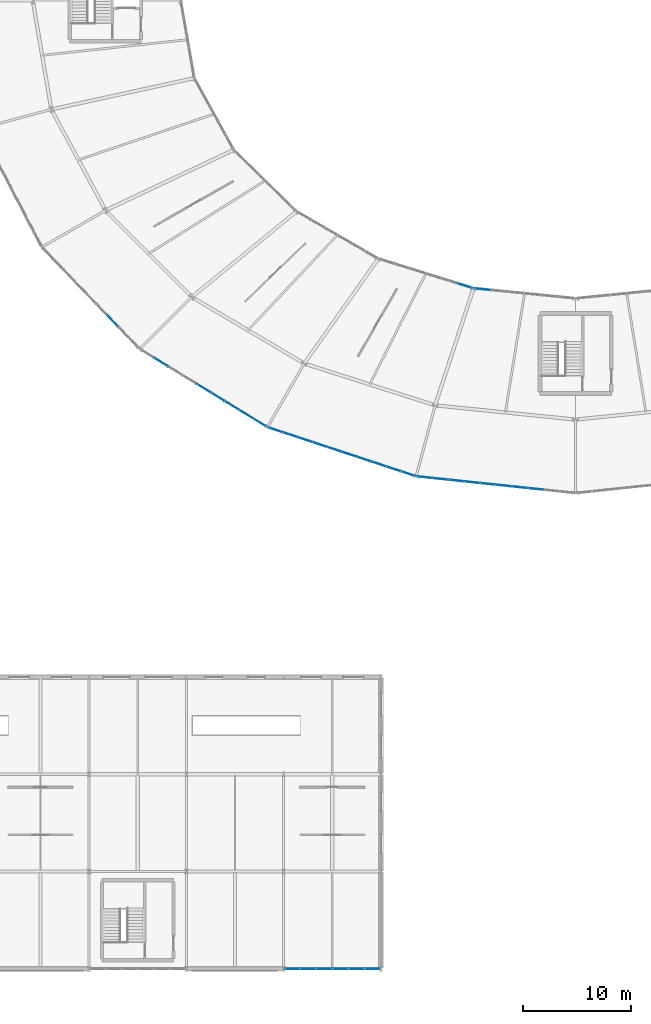
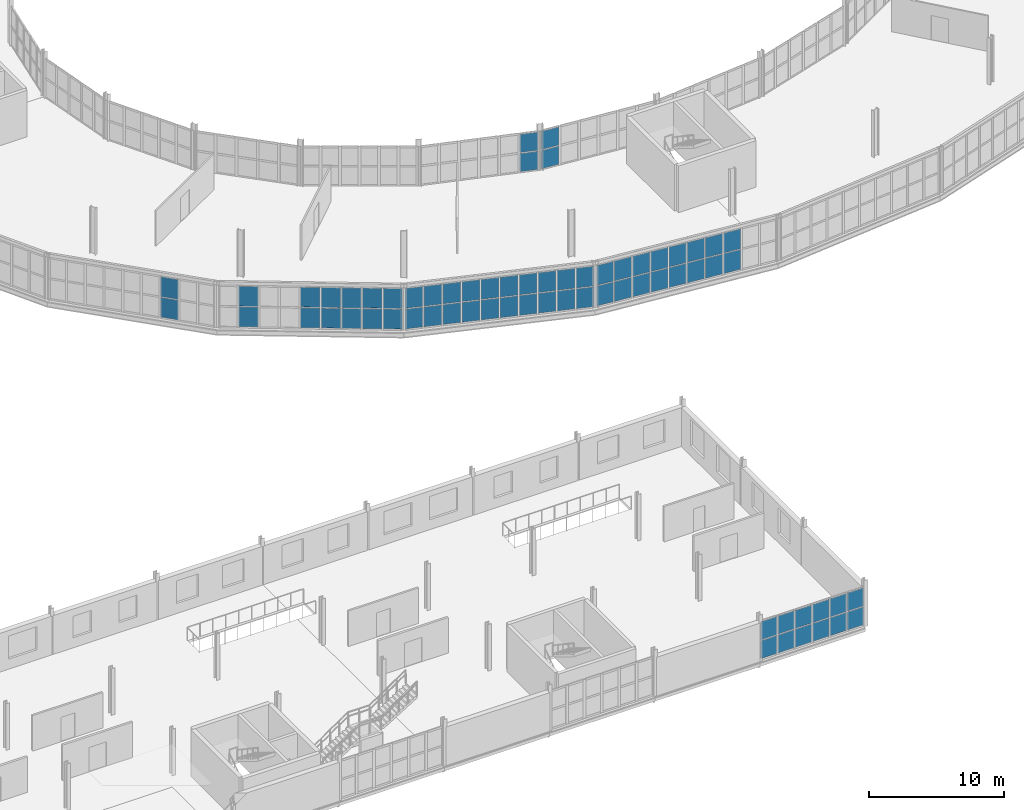
# One storey, part 108 of 161: 66 plates, 7 elements without a shape of their own.
"""IFC4 building model written with IfcOpenShell, lengths in metres."""

from ifc_helpers import new_model, si_unit, direction, frame, origin, origin_2d, place, context, subcontext, project, spatial, rectangle, extrude, material, layer, layer_set, type_object, element, aggregate, save


model = new_model("IFC4")

# Units and contexts
model_context = context("Model", 3, precision=1e-05, world=origin(), true_north=direction((0.0, 1.0)))
body_context = subcontext(model_context, "Body", "Model", "MODEL_VIEW")
ifc_project = project(units=[si_unit("LENGTHUNIT", "METRE"), si_unit("AREAUNIT", "SQUARE_METRE"), si_unit("VOLUMEUNIT", "CUBIC_METRE"), si_unit("PLANEANGLEUNIT", "RADIAN"), si_unit("MASSUNIT", "GRAM", prefix="KILO")], contexts=[model_context])

# Site, building, storey
site_placement = place(None, origin())
site = spatial("IfcSite", under=ifc_project, at=site_placement, CompositionType="ELEMENT")
building_placement = place(site_placement, origin())
building = spatial("IfcBuilding", under=site, at=building_placement, Name="Kildeholm Park Wholesale Market", CompositionType="ELEMENT")
storey_placement = place(building_placement, frame((0.0, 0.0, 5.39990234375)))
storey = spatial("IfcBuildingStorey", under=building, at=storey_placement, Name="L01", CompositionType="ELEMENT", Elevation=5.39990234375)

# Curtain wall, plates
ifc_material_1 = material(Name="Anodised aluminium and low-E double-glazed glass", Category="aluminium")
curtain_wall_type_1 = type_object("IfcCurtainWallType", Name="Market hall glazed arcade stick curtain wall CW-01", PredefinedType="NOTDEFINED", material=ifc_material_1)
curtain_wall_1_placement = place(storey_placement, origin())
curtain_wall_1 = element("IfcCurtainWall", 1, at=curtain_wall_1_placement, inside=storey, type_object=curtain_wall_type_1, Name="Curtain wall CW-V1-OT-14-1 CW-0069", PredefinedType="NOTDEFINED")
ifc_material_2 = material(Name="Double-glazed low-E insulated glass", Category="glass")
ifc_layer_1 = layer(ifc_material_2, 0.028076171875)
ifc_layer_set_1 = layer_set([ifc_layer_1], Name="Double-glazed low-E insulated glass")
plate_type_1 = type_object("IfcPlateType", Name="Curtain-wall panel CWP-1 28 mm", PredefinedType="CURTAIN_PANEL", material=ifc_layer_set_1)
plate_1_placement = place(storey_placement, frame((56.161865234375, 59.95361328125, 0.06494140625), z_axis=(0.0, 0.0, 1.0), x_axis=(0.69303795493, -0.720901097951, 0.0)))
plate_1 = element("IfcPlate", 2, at=plate_1_placement, type_object=plate_type_1, Name="CW-01 panel 7.1 PLT-1076", PredefinedType="CURTAIN_PANEL", context=body_context, shape_type="SweptSolid", body=[
    extrude(rectangle(XDim=1.378662109375, YDim=0.028076171875, at=origin_2d()), origin(), (0.0, 0.0, 1.0), 1.802490234375),
])
plate_2_placement = place(storey_placement, frame((56.161865234375, 59.95361328125, 1.9326171875), z_axis=(0.0, 0.0, 1.0), x_axis=(0.69303795493, -0.720901097951, 0.0)))
plate_2 = element("IfcPlate", 3, at=plate_2_placement, type_object=plate_type_1, Name="CW-01 panel 7.2 PLT-1077", PredefinedType="CURTAIN_PANEL", context=body_context, shape_type="SweptSolid", body=[
    extrude(rectangle(XDim=1.378662109375, YDim=0.028076171875, at=origin_2d()), origin(), (0.0, 0.0, 1.0), 1.802490234375),
])
aggregate(curtain_wall_1, [plate_1, plate_2])

curtain_wall_2_placement = place(storey_placement, origin())
curtain_wall_2 = element("IfcCurtainWall", 4, at=curtain_wall_2_placement, inside=storey, type_object=curtain_wall_type_1, Name="Curtain wall CW-V1-OT-15-1 CW-0074", PredefinedType="NOTDEFINED")
plate_3_placement = place(storey_placement, frame((60.681396484375, 56.103759765625, 0.06494140625), z_axis=(0.0, 0.0, 1.0), x_axis=(0.852771402766, -0.522284342695, 0.0)))
plate_3 = element("IfcPlate", 5, at=plate_3_placement, type_object=plate_type_1, Name="CW-01 panel 2.1 PLT-1128", PredefinedType="CURTAIN_PANEL", context=body_context, shape_type="SweptSolid", body=[
    extrude(rectangle(XDim=1.46435546875, YDim=0.028076171875, at=origin_2d()), origin(), (0.0, 0.0, 1.0), 1.802490234375),
])
plate_4_placement = place(storey_placement, frame((60.681396484375, 56.103759765625, 1.9326171875), z_axis=(0.0, 0.0, 1.0), x_axis=(0.852771402766, -0.522284342695, 0.0)))
plate_4 = element("IfcPlate", 6, at=plate_4_placement, type_object=plate_type_1, Name="CW-01 panel 2.2 PLT-1129", PredefinedType="CURTAIN_PANEL", context=body_context, shape_type="SweptSolid", body=[
    extrude(rectangle(XDim=1.46435546875, YDim=0.028076171875, at=origin_2d()), origin(), (0.0, 0.0, 1.0), 1.802490234375),
])
plate_5_placement = place(storey_placement, frame((64.593994140625, 53.70751953125, 0.06494140625), z_axis=(0.0, 0.0, 1.0), x_axis=(0.852771402766, -0.522284342695, 0.0)))
plate_5 = element("IfcPlate", 7, at=plate_5_placement, type_object=plate_type_1, Name="CW-01 panel 5.1 PLT-1134", PredefinedType="CURTAIN_PANEL", context=body_context, shape_type="SweptSolid", body=[
    extrude(rectangle(XDim=1.46435546875, YDim=0.028076171875, at=origin_2d()), origin(), (0.0, 0.0, 1.0), 1.802490234375),
])
plate_6_placement = place(storey_placement, frame((64.593994140625, 53.70751953125, 1.9326171875), z_axis=(0.0, 0.0, 1.0), x_axis=(0.852771402766, -0.522284342695, 0.0)))
plate_6 = element("IfcPlate", 8, at=plate_6_placement, type_object=plate_type_1, Name="CW-01 panel 5.2 PLT-1135", PredefinedType="CURTAIN_PANEL", context=body_context, shape_type="SweptSolid", body=[
    extrude(rectangle(XDim=1.46435546875, YDim=0.028076171875, at=origin_2d()), origin(), (0.0, 0.0, 1.0), 1.802490234375),
])
plate_7_placement = place(storey_placement, frame((65.898193359375, 52.90869140625, 0.06494140625), z_axis=(0.0, 0.0, 1.0), x_axis=(0.852771402766, -0.522284342695, 0.0)))
plate_7 = element("IfcPlate", 9, at=plate_7_placement, type_object=plate_type_1, Name="CW-01 panel 6.1 PLT-1136", PredefinedType="CURTAIN_PANEL", context=body_context, shape_type="SweptSolid", body=[
    extrude(rectangle(XDim=1.46435546875, YDim=0.028076171875, at=origin_2d()), origin(), (0.0, 0.0, 1.0), 1.802490234375),
])
plate_8_placement = place(storey_placement, frame((65.898193359375, 52.90869140625, 1.9326171875), z_axis=(0.0, 0.0, 1.0), x_axis=(0.852771402766, -0.522284342695, 0.0)))
plate_8 = element("IfcPlate", 10, at=plate_8_placement, type_object=plate_type_1, Name="CW-01 panel 6.2 PLT-1137", PredefinedType="CURTAIN_PANEL", context=body_context, shape_type="SweptSolid", body=[
    extrude(rectangle(XDim=1.46435546875, YDim=0.028076171875, at=origin_2d()), origin(), (0.0, 0.0, 1.0), 1.802490234375),
])
plate_9_placement = place(storey_placement, frame((67.202392578125, 52.10986328125, 0.06494140625), z_axis=(0.0, 0.0, 1.0), x_axis=(0.852771402766, -0.522284342695, 0.0)))
plate_9 = element("IfcPlate", 11, at=plate_9_placement, type_object=plate_type_1, Name="CW-01 panel 7.1 PLT-1138", PredefinedType="CURTAIN_PANEL", context=body_context, shape_type="SweptSolid", body=[
    extrude(rectangle(XDim=1.46435546875, YDim=0.028076171875, at=origin_2d()), origin(), (0.0, 0.0, 1.0), 1.802490234375),
])
plate_10_placement = place(storey_placement, frame((67.202392578125, 52.10986328125, 1.9326171875), z_axis=(0.0, 0.0, 1.0), x_axis=(0.852771402766, -0.522284342695, 0.0)))
plate_10 = element("IfcPlate", 12, at=plate_10_placement, type_object=plate_type_1, Name="CW-01 panel 7.2 PLT-1139", PredefinedType="CURTAIN_PANEL", context=body_context, shape_type="SweptSolid", body=[
    extrude(rectangle(XDim=1.46435546875, YDim=0.028076171875, at=origin_2d()), origin(), (0.0, 0.0, 1.0), 1.802490234375),
])
plate_11_placement = place(storey_placement, frame((68.506591796875, 51.311279296875, 0.06494140625), z_axis=(0.0, 0.0, 1.0), x_axis=(0.852771402766, -0.522284342695, 0.0)))
plate_11 = element("IfcPlate", 13, at=plate_11_placement, type_object=plate_type_1, Name="CW-01 panel 8.1 PLT-1140", PredefinedType="CURTAIN_PANEL", context=body_context, shape_type="SweptSolid", body=[
    extrude(rectangle(XDim=1.46435546875, YDim=0.028076171875, at=origin_2d()), origin(), (0.0, 0.0, 1.0), 1.802490234375),
])
plate_12_placement = place(storey_placement, frame((68.506591796875, 51.311279296875, 1.9326171875), z_axis=(0.0, 0.0, 1.0), x_axis=(0.852771402766, -0.522284342695, 0.0)))
plate_12 = element("IfcPlate", 14, at=plate_12_placement, type_object=plate_type_1, Name="CW-01 panel 8.2 PLT-1141", PredefinedType="CURTAIN_PANEL", context=body_context, shape_type="SweptSolid", body=[
    extrude(rectangle(XDim=1.46435546875, YDim=0.028076171875, at=origin_2d()), origin(), (0.0, 0.0, 1.0), 1.802490234375),
])
plate_13_placement = place(storey_placement, frame((69.797119140625, 50.52099609375, 0.06494140625), z_axis=(0.0, 0.0, 1.0), x_axis=(0.852771402766, -0.522284342695, 0.0)))
plate_13 = element("IfcPlate", 15, at=plate_13_placement, type_object=plate_type_1, Name="CW-01 panel 9.1 PLT-1142", PredefinedType="CURTAIN_PANEL", context=body_context, shape_type="SweptSolid", body=[
    extrude(rectangle(XDim=1.431884765625, YDim=0.028076171875, at=origin_2d()), origin(), (0.0, 0.0, 1.0), 1.802490234375),
])
plate_14_placement = place(storey_placement, frame((69.797119140625, 50.52099609375, 1.9326171875), z_axis=(0.0, 0.0, 1.0), x_axis=(0.852771402766, -0.522284342695, 0.0)))
plate_14 = element("IfcPlate", 16, at=plate_14_placement, type_object=plate_type_1, Name="CW-01 panel 9.2 PLT-1143", PredefinedType="CURTAIN_PANEL", context=body_context, shape_type="SweptSolid", body=[
    extrude(rectangle(XDim=1.431884765625, YDim=0.028076171875, at=origin_2d()), origin(), (0.0, 0.0, 1.0), 1.802490234375),
])
aggregate(curtain_wall_2, [plate_3, plate_4, plate_5, plate_6, plate_7, plate_8, plate_9, plate_10, plate_11, plate_12, plate_13, plate_14])

curtain_wall_3_placement = place(storey_placement, origin())
curtain_wall_3 = element("IfcCurtainWall", 17, at=curtain_wall_3_placement, inside=storey, type_object=curtain_wall_type_1, Name="Curtain wall CW-V1-OT-16-1 CW-0079", PredefinedType="NOTDEFINED")
plate_15_placement = place(storey_placement, frame((71.23486328125, 49.847900390625, 0.06494140625), z_axis=(0.0, 0.0, 1.0), x_axis=(0.949451374478, -0.313914140335, 0.0)))
plate_15 = element("IfcPlate", 18, at=plate_15_placement, type_object=plate_type_1, Name="CW-01 panel 1.1 PLT-1196", PredefinedType="CURTAIN_PANEL", context=body_context, shape_type="SweptSolid", body=[
    extrude(rectangle(XDim=1.34228515625, YDim=0.028076171875, at=origin_2d()), origin(), (0.0, 0.0, 1.0), 1.802490234375),
])
plate_16_placement = place(storey_placement, frame((71.23486328125, 49.847900390625, 1.9326171875), z_axis=(0.0, 0.0, 1.0), x_axis=(0.949451374478, -0.313914140335, 0.0)))
plate_16 = element("IfcPlate", 19, at=plate_16_placement, type_object=plate_type_1, Name="CW-01 panel 1.2 PLT-1197", PredefinedType="CURTAIN_PANEL", context=body_context, shape_type="SweptSolid", body=[
    extrude(rectangle(XDim=1.34228515625, YDim=0.028076171875, at=origin_2d()), origin(), (0.0, 0.0, 1.0), 1.802490234375),
])
plate_17_placement = place(storey_placement, frame((72.586669921875, 49.40087890625, 0.06494140625), z_axis=(0.0, 0.0, 1.0), x_axis=(0.949451374478, -0.313914140335, 0.0)))
plate_17 = element("IfcPlate", 20, at=plate_17_placement, type_object=plate_type_1, Name="CW-01 panel 2.1 PLT-1198", PredefinedType="CURTAIN_PANEL", context=body_context, shape_type="SweptSolid", body=[
    extrude(rectangle(XDim=1.375, YDim=0.028076171875, at=origin_2d()), origin(), (0.0, 0.0, 1.0), 1.802490234375),
])
plate_18_placement = place(storey_placement, frame((72.586669921875, 49.40087890625, 1.9326171875), z_axis=(0.0, 0.0, 1.0), x_axis=(0.949451374478, -0.313914140335, 0.0)))
plate_18 = element("IfcPlate", 21, at=plate_18_placement, type_object=plate_type_1, Name="CW-01 panel 2.2 PLT-1199", PredefinedType="CURTAIN_PANEL", context=body_context, shape_type="SweptSolid", body=[
    extrude(rectangle(XDim=1.375, YDim=0.028076171875, at=origin_2d()), origin(), (0.0, 0.0, 1.0), 1.802490234375),
])
plate_19_placement = place(storey_placement, frame((73.953857421875, 48.948974609375, 0.06494140625), z_axis=(0.0, 0.0, 1.0), x_axis=(0.949451374478, -0.313914140335, 0.0)))
plate_19 = element("IfcPlate", 22, at=plate_19_placement, type_object=plate_type_1, Name="CW-01 panel 3.1 PLT-1200", PredefinedType="CURTAIN_PANEL", context=body_context, shape_type="SweptSolid", body=[
    extrude(rectangle(XDim=1.375, YDim=0.028076171875, at=origin_2d()), origin(), (0.0, 0.0, 1.0), 1.802490234375),
])
plate_20_placement = place(storey_placement, frame((73.953857421875, 48.948974609375, 1.9326171875), z_axis=(0.0, 0.0, 1.0), x_axis=(0.949451374478, -0.313914140335, 0.0)))
plate_20 = element("IfcPlate", 23, at=plate_20_placement, type_object=plate_type_1, Name="CW-01 panel 3.2 PLT-1201", PredefinedType="CURTAIN_PANEL", context=body_context, shape_type="SweptSolid", body=[
    extrude(rectangle(XDim=1.375, YDim=0.028076171875, at=origin_2d()), origin(), (0.0, 0.0, 1.0), 1.802490234375),
])
plate_21_placement = place(storey_placement, frame((75.32080078125, 48.4970703125, 0.06494140625), z_axis=(0.0, 0.0, 1.0), x_axis=(0.949451374478, -0.313914140335, 0.0)))
plate_21 = element("IfcPlate", 24, at=plate_21_placement, type_object=plate_type_1, Name="CW-01 panel 4.1 PLT-1202", PredefinedType="CURTAIN_PANEL", context=body_context, shape_type="SweptSolid", body=[
    extrude(rectangle(XDim=1.375, YDim=0.028076171875, at=origin_2d()), origin(), (0.0, 0.0, 1.0), 1.802490234375),
])
plate_22_placement = place(storey_placement, frame((75.32080078125, 48.4970703125, 1.9326171875), z_axis=(0.0, 0.0, 1.0), x_axis=(0.949451374478, -0.313914140335, 0.0)))
plate_22 = element("IfcPlate", 25, at=plate_22_placement, type_object=plate_type_1, Name="CW-01 panel 4.2 PLT-1203", PredefinedType="CURTAIN_PANEL", context=body_context, shape_type="SweptSolid", body=[
    extrude(rectangle(XDim=1.375, YDim=0.028076171875, at=origin_2d()), origin(), (0.0, 0.0, 1.0), 1.802490234375),
])
plate_23_placement = place(storey_placement, frame((76.68798828125, 48.044921875, 0.06494140625), z_axis=(0.0, 0.0, 1.0), x_axis=(0.949451374478, -0.313914140335, 0.0)))
plate_23 = element("IfcPlate", 26, at=plate_23_placement, type_object=plate_type_1, Name="CW-01 panel 5.1 PLT-1204", PredefinedType="CURTAIN_PANEL", context=body_context, shape_type="SweptSolid", body=[
    extrude(rectangle(XDim=1.375, YDim=0.028076171875, at=origin_2d()), origin(), (0.0, 0.0, 1.0), 1.802490234375),
])
plate_24_placement = place(storey_placement, frame((76.68798828125, 48.044921875, 1.9326171875), z_axis=(0.0, 0.0, 1.0), x_axis=(0.949451374478, -0.313914140335, 0.0)))
plate_24 = element("IfcPlate", 27, at=plate_24_placement, type_object=plate_type_1, Name="CW-01 panel 5.2 PLT-1205", PredefinedType="CURTAIN_PANEL", context=body_context, shape_type="SweptSolid", body=[
    extrude(rectangle(XDim=1.375, YDim=0.028076171875, at=origin_2d()), origin(), (0.0, 0.0, 1.0), 1.802490234375),
])
plate_25_placement = place(storey_placement, frame((78.054931640625, 47.593017578125, 0.06494140625), z_axis=(0.0, 0.0, 1.0), x_axis=(0.949451374478, -0.313914140335, 0.0)))
plate_25 = element("IfcPlate", 28, at=plate_25_placement, type_object=plate_type_1, Name="CW-01 panel 6.1 PLT-1206", PredefinedType="CURTAIN_PANEL", context=body_context, shape_type="SweptSolid", body=[
    extrude(rectangle(XDim=1.375, YDim=0.028076171875, at=origin_2d()), origin(), (0.0, 0.0, 1.0), 1.802490234375),
])
plate_26_placement = place(storey_placement, frame((78.054931640625, 47.593017578125, 1.9326171875), z_axis=(0.0, 0.0, 1.0), x_axis=(0.949451374478, -0.313914140335, 0.0)))
plate_26 = element("IfcPlate", 29, at=plate_26_placement, type_object=plate_type_1, Name="CW-01 panel 6.2 PLT-1207", PredefinedType="CURTAIN_PANEL", context=body_context, shape_type="SweptSolid", body=[
    extrude(rectangle(XDim=1.375, YDim=0.028076171875, at=origin_2d()), origin(), (0.0, 0.0, 1.0), 1.802490234375),
])
plate_27_placement = place(storey_placement, frame((79.422119140625, 47.14111328125, 0.06494140625), z_axis=(0.0, 0.0, 1.0), x_axis=(0.949451374478, -0.313914140335, 0.0)))
plate_27 = element("IfcPlate", 30, at=plate_27_placement, type_object=plate_type_1, Name="CW-01 panel 7.1 PLT-1208", PredefinedType="CURTAIN_PANEL", context=body_context, shape_type="SweptSolid", body=[
    extrude(rectangle(XDim=1.375, YDim=0.028076171875, at=origin_2d()), origin(), (0.0, 0.0, 1.0), 1.802490234375),
])
plate_28_placement = place(storey_placement, frame((79.422119140625, 47.14111328125, 1.9326171875), z_axis=(0.0, 0.0, 1.0), x_axis=(0.949451374478, -0.313914140335, 0.0)))
plate_28 = element("IfcPlate", 31, at=plate_28_placement, type_object=plate_type_1, Name="CW-01 panel 7.2 PLT-1209", PredefinedType="CURTAIN_PANEL", context=body_context, shape_type="SweptSolid", body=[
    extrude(rectangle(XDim=1.375, YDim=0.028076171875, at=origin_2d()), origin(), (0.0, 0.0, 1.0), 1.802490234375),
])
plate_29_placement = place(storey_placement, frame((80.789306640625, 46.68896484375, 0.06494140625), z_axis=(0.0, 0.0, 1.0), x_axis=(0.949451374478, -0.313914140335, 0.0)))
plate_29 = element("IfcPlate", 32, at=plate_29_placement, type_object=plate_type_1, Name="CW-01 panel 8.1 PLT-1210", PredefinedType="CURTAIN_PANEL", context=body_context, shape_type="SweptSolid", body=[
    extrude(rectangle(XDim=1.375, YDim=0.028076171875, at=origin_2d()), origin(), (0.0, 0.0, 1.0), 1.802490234375),
])
plate_30_placement = place(storey_placement, frame((80.789306640625, 46.68896484375, 1.9326171875), z_axis=(0.0, 0.0, 1.0), x_axis=(0.949451374478, -0.313914140335, 0.0)))
plate_30 = element("IfcPlate", 33, at=plate_30_placement, type_object=plate_type_1, Name="CW-01 panel 8.2 PLT-1211", PredefinedType="CURTAIN_PANEL", context=body_context, shape_type="SweptSolid", body=[
    extrude(rectangle(XDim=1.375, YDim=0.028076171875, at=origin_2d()), origin(), (0.0, 0.0, 1.0), 1.802490234375),
])
plate_31_placement = place(storey_placement, frame((82.15625, 46.237060546875, 0.06494140625), z_axis=(0.0, 0.0, 1.0), x_axis=(0.949451374478, -0.313914140335, 0.0)))
plate_31 = element("IfcPlate", 34, at=plate_31_placement, type_object=plate_type_1, Name="CW-01 panel 9.1 PLT-1212", PredefinedType="CURTAIN_PANEL", context=body_context, shape_type="SweptSolid", body=[
    extrude(rectangle(XDim=1.375, YDim=0.028076171875, at=origin_2d()), origin(), (0.0, 0.0, 1.0), 1.802490234375),
])
plate_32_placement = place(storey_placement, frame((82.15625, 46.237060546875, 1.9326171875), z_axis=(0.0, 0.0, 1.0), x_axis=(0.949451374478, -0.313914140335, 0.0)))
plate_32 = element("IfcPlate", 35, at=plate_32_placement, type_object=plate_type_1, Name="CW-01 panel 9.2 PLT-1213", PredefinedType="CURTAIN_PANEL", context=body_context, shape_type="SweptSolid", body=[
    extrude(rectangle(XDim=1.375, YDim=0.028076171875, at=origin_2d()), origin(), (0.0, 0.0, 1.0), 1.802490234375),
])
plate_33_placement = place(storey_placement, frame((83.508056640625, 45.7900390625, 0.06494140625), z_axis=(0.0, 0.0, 1.0), x_axis=(0.949451374478, -0.313914140335, 0.0)))
plate_33 = element("IfcPlate", 36, at=plate_33_placement, type_object=plate_type_1, Name="CW-01 panel 10.1 PLT-1214", PredefinedType="CURTAIN_PANEL", context=body_context, shape_type="SweptSolid", body=[
    extrude(rectangle(XDim=1.34228515625, YDim=0.028076171875, at=origin_2d()), origin(), (0.0, 0.0, 1.0), 1.802490234375),
])
plate_34_placement = place(storey_placement, frame((83.508056640625, 45.7900390625, 1.9326171875), z_axis=(0.0, 0.0, 1.0), x_axis=(0.949451374478, -0.313914140335, 0.0)))
plate_34 = element("IfcPlate", 37, at=plate_34_placement, type_object=plate_type_1, Name="CW-01 panel 10.2 PLT-1215", PredefinedType="CURTAIN_PANEL", context=body_context, shape_type="SweptSolid", body=[
    extrude(rectangle(XDim=1.34228515625, YDim=0.028076171875, at=origin_2d()), origin(), (0.0, 0.0, 1.0), 1.802490234375),
])
aggregate(curtain_wall_3, [plate_15, plate_16, plate_17, plate_18, plate_19, plate_20, plate_21, plate_22, plate_23, plate_24, plate_25, plate_26, plate_27, plate_28, plate_29, plate_30, plate_31, plate_32, plate_33, plate_34])

curtain_wall_4_placement = place(storey_placement, origin())
curtain_wall_4 = element("IfcCurtainWall", 38, at=curtain_wall_4_placement, inside=storey, type_object=curtain_wall_type_1, Name="Curtain wall CW-V1-IN1-16 CW-0082", PredefinedType="NOTDEFINED")
plate_35_placement = place(storey_placement, frame((88.767822265625, 63.177490234375, 0.074951171875), z_axis=(0.0, 0.0, 1.0), x_axis=(0.954579186683, -0.297957339818, 0.0)))
plate_35 = element("IfcPlate", 39, at=plate_35_placement, type_object=plate_type_1, Name="CW-01 panel 6.1 PLT-1254", PredefinedType="CURTAIN_PANEL", context=body_context, shape_type="SweptSolid", body=[
    extrude(rectangle(XDim=1.4111328125, YDim=0.028076171875, at=origin_2d()), origin(), (0.0, 0.0, 1.0), 1.66259765625),
])
plate_36_placement = place(storey_placement, frame((88.767822265625, 63.177490234375, 1.8125), z_axis=(0.0, 0.0, 1.0), x_axis=(0.954579186683, -0.297957339818, 0.0)))
plate_36 = element("IfcPlate", 40, at=plate_36_placement, type_object=plate_type_1, Name="CW-01 panel 6.2 PLT-1255", PredefinedType="CURTAIN_PANEL", context=body_context, shape_type="SweptSolid", body=[
    extrude(rectangle(XDim=1.4111328125, YDim=0.028076171875, at=origin_2d()), origin(), (0.0, 0.0, 1.0), 1.66259765625),
])
aggregate(curtain_wall_4, [plate_35, plate_36])

curtain_wall_5_placement = place(storey_placement, origin())
curtain_wall_5 = element("IfcCurtainWall", 41, at=curtain_wall_5_placement, inside=storey, type_object=curtain_wall_type_1, Name="Curtain wall CW-V1-OT-17-1 CW-0084", PredefinedType="NOTDEFINED")
plate_37_placement = place(storey_placement, frame((85.035888671875, 45.463134765625, 0.06494140625), z_axis=(0.0, 0.0, 1.0), x_axis=(0.994524005652, -0.104508383308, 0.0)))
plate_37 = element("IfcPlate", 42, at=plate_37_placement, type_object=plate_type_1, Name="CW-01 panel 1.1 PLT-1268", PredefinedType="CURTAIN_PANEL", context=body_context, shape_type="SweptSolid", body=[
    extrude(rectangle(XDim=1.3779296875, YDim=0.028076171875, at=origin_2d()), origin(), (0.0, 0.0, 1.0), 1.802490234375),
])
plate_38_placement = place(storey_placement, frame((85.035888671875, 45.463134765625, 1.9326171875), z_axis=(0.0, 0.0, 1.0), x_axis=(0.994524005652, -0.104508383308, 0.0)))
plate_38 = element("IfcPlate", 43, at=plate_38_placement, type_object=plate_type_1, Name="CW-01 panel 1.2 PLT-1269", PredefinedType="CURTAIN_PANEL", context=body_context, shape_type="SweptSolid", body=[
    extrude(rectangle(XDim=1.3779296875, YDim=0.028076171875, at=origin_2d()), origin(), (0.0, 0.0, 1.0), 1.802490234375),
])
plate_39_placement = place(storey_placement, frame((86.487060546875, 45.310791015625, 0.06494140625), z_axis=(0.0, 0.0, 1.0), x_axis=(0.994524005652, -0.104508383308, 0.0)))
plate_39 = element("IfcPlate", 44, at=plate_39_placement, type_object=plate_type_1, Name="CW-01 panel 2.1 PLT-1270", PredefinedType="CURTAIN_PANEL", context=body_context, shape_type="SweptSolid", body=[
    extrude(rectangle(XDim=1.410400390625, YDim=0.028076171875, at=origin_2d()), origin(), (0.0, 0.0, 1.0), 1.802490234375),
])
plate_40_placement = place(storey_placement, frame((86.487060546875, 45.310791015625, 1.9326171875), z_axis=(0.0, 0.0, 1.0), x_axis=(0.994524005652, -0.104508383308, 0.0)))
plate_40 = element("IfcPlate", 45, at=plate_40_placement, type_object=plate_type_1, Name="CW-01 panel 2.2 PLT-1271", PredefinedType="CURTAIN_PANEL", context=body_context, shape_type="SweptSolid", body=[
    extrude(rectangle(XDim=1.410400390625, YDim=0.028076171875, at=origin_2d()), origin(), (0.0, 0.0, 1.0), 1.802490234375),
])
plate_41_placement = place(storey_placement, frame((87.95458984375, 45.156494140625, 0.06494140625), z_axis=(0.0, 0.0, 1.0), x_axis=(0.994524005652, -0.104508383308, 0.0)))
plate_41 = element("IfcPlate", 46, at=plate_41_placement, type_object=plate_type_1, Name="CW-01 panel 3.1 PLT-1272", PredefinedType="CURTAIN_PANEL", context=body_context, shape_type="SweptSolid", body=[
    extrude(rectangle(XDim=1.410400390625, YDim=0.028076171875, at=origin_2d()), origin(), (0.0, 0.0, 1.0), 1.802490234375),
])
plate_42_placement = place(storey_placement, frame((87.95458984375, 45.156494140625, 1.9326171875), z_axis=(0.0, 0.0, 1.0), x_axis=(0.994524005652, -0.104508383308, 0.0)))
plate_42 = element("IfcPlate", 47, at=plate_42_placement, type_object=plate_type_1, Name="CW-01 panel 3.2 PLT-1273", PredefinedType="CURTAIN_PANEL", context=body_context, shape_type="SweptSolid", body=[
    extrude(rectangle(XDim=1.410400390625, YDim=0.028076171875, at=origin_2d()), origin(), (0.0, 0.0, 1.0), 1.802490234375),
])
plate_43_placement = place(storey_placement, frame((89.421875, 45.002197265625, 0.06494140625), z_axis=(0.0, 0.0, 1.0), x_axis=(0.994524005652, -0.104508383308, 0.0)))
plate_43 = element("IfcPlate", 48, at=plate_43_placement, type_object=plate_type_1, Name="CW-01 panel 4.1 PLT-1274", PredefinedType="CURTAIN_PANEL", context=body_context, shape_type="SweptSolid", body=[
    extrude(rectangle(XDim=1.410400390625, YDim=0.028076171875, at=origin_2d()), origin(), (0.0, 0.0, 1.0), 1.802490234375),
])
plate_44_placement = place(storey_placement, frame((89.421875, 45.002197265625, 1.9326171875), z_axis=(0.0, 0.0, 1.0), x_axis=(0.994524005652, -0.104508383308, 0.0)))
plate_44 = element("IfcPlate", 49, at=plate_44_placement, type_object=plate_type_1, Name="CW-01 panel 4.2 PLT-1275", PredefinedType="CURTAIN_PANEL", context=body_context, shape_type="SweptSolid", body=[
    extrude(rectangle(XDim=1.410400390625, YDim=0.028076171875, at=origin_2d()), origin(), (0.0, 0.0, 1.0), 1.802490234375),
])
plate_45_placement = place(storey_placement, frame((90.889404296875, 44.84814453125, 0.06494140625), z_axis=(0.0, 0.0, 1.0), x_axis=(0.994524005652, -0.104508383308, 0.0)))
plate_45 = element("IfcPlate", 50, at=plate_45_placement, type_object=plate_type_1, Name="CW-01 panel 5.1 PLT-1276", PredefinedType="CURTAIN_PANEL", context=body_context, shape_type="SweptSolid", body=[
    extrude(rectangle(XDim=1.410400390625, YDim=0.028076171875, at=origin_2d()), origin(), (0.0, 0.0, 1.0), 1.802490234375),
])
plate_46_placement = place(storey_placement, frame((90.889404296875, 44.84814453125, 1.9326171875), z_axis=(0.0, 0.0, 1.0), x_axis=(0.994524005652, -0.104508383308, 0.0)))
plate_46 = element("IfcPlate", 51, at=plate_46_placement, type_object=plate_type_1, Name="CW-01 panel 5.2 PLT-1277", PredefinedType="CURTAIN_PANEL", context=body_context, shape_type="SweptSolid", body=[
    extrude(rectangle(XDim=1.410400390625, YDim=0.028076171875, at=origin_2d()), origin(), (0.0, 0.0, 1.0), 1.802490234375),
])
plate_47_placement = place(storey_placement, frame((92.356689453125, 44.69384765625, 0.06494140625), z_axis=(0.0, 0.0, 1.0), x_axis=(0.994524005652, -0.104508383308, 0.0)))
plate_47 = element("IfcPlate", 52, at=plate_47_placement, type_object=plate_type_1, Name="CW-01 panel 6.1 PLT-1278", PredefinedType="CURTAIN_PANEL", context=body_context, shape_type="SweptSolid", body=[
    extrude(rectangle(XDim=1.410400390625, YDim=0.028076171875, at=origin_2d()), origin(), (0.0, 0.0, 1.0), 1.802490234375),
])
plate_48_placement = place(storey_placement, frame((92.356689453125, 44.69384765625, 1.9326171875), z_axis=(0.0, 0.0, 1.0), x_axis=(0.994524005652, -0.104508383308, 0.0)))
plate_48 = element("IfcPlate", 53, at=plate_48_placement, type_object=plate_type_1, Name="CW-01 panel 6.2 PLT-1279", PredefinedType="CURTAIN_PANEL", context=body_context, shape_type="SweptSolid", body=[
    extrude(rectangle(XDim=1.410400390625, YDim=0.028076171875, at=origin_2d()), origin(), (0.0, 0.0, 1.0), 1.802490234375),
])
plate_49_placement = place(storey_placement, frame((93.82421875, 44.539794921875, 0.06494140625), z_axis=(0.0, 0.0, 1.0), x_axis=(0.994524005652, -0.104508383308, 0.0)))
plate_49 = element("IfcPlate", 54, at=plate_49_placement, type_object=plate_type_1, Name="CW-01 panel 7.1 PLT-1280", PredefinedType="CURTAIN_PANEL", context=body_context, shape_type="SweptSolid", body=[
    extrude(rectangle(XDim=1.410400390625, YDim=0.028076171875, at=origin_2d()), origin(), (0.0, 0.0, 1.0), 1.802490234375),
])
plate_50_placement = place(storey_placement, frame((93.82421875, 44.539794921875, 1.9326171875), z_axis=(0.0, 0.0, 1.0), x_axis=(0.994524005652, -0.104508383308, 0.0)))
plate_50 = element("IfcPlate", 55, at=plate_50_placement, type_object=plate_type_1, Name="CW-01 panel 7.2 PLT-1281", PredefinedType="CURTAIN_PANEL", context=body_context, shape_type="SweptSolid", body=[
    extrude(rectangle(XDim=1.410400390625, YDim=0.028076171875, at=origin_2d()), origin(), (0.0, 0.0, 1.0), 1.802490234375),
])
plate_51_placement = place(storey_placement, frame((95.29150390625, 44.385498046875, 0.06494140625), z_axis=(0.0, 0.0, 1.0), x_axis=(0.994524005652, -0.104508383308, 0.0)))
plate_51 = element("IfcPlate", 56, at=plate_51_placement, type_object=plate_type_1, Name="CW-01 panel 8.1 PLT-1282", PredefinedType="CURTAIN_PANEL", context=body_context, shape_type="SweptSolid", body=[
    extrude(rectangle(XDim=1.410400390625, YDim=0.028076171875, at=origin_2d()), origin(), (0.0, 0.0, 1.0), 1.802490234375),
])
plate_52_placement = place(storey_placement, frame((95.29150390625, 44.385498046875, 1.9326171875), z_axis=(0.0, 0.0, 1.0), x_axis=(0.994524005652, -0.104508383308, 0.0)))
plate_52 = element("IfcPlate", 57, at=plate_52_placement, type_object=plate_type_1, Name="CW-01 panel 8.2 PLT-1283", PredefinedType="CURTAIN_PANEL", context=body_context, shape_type="SweptSolid", body=[
    extrude(rectangle(XDim=1.410400390625, YDim=0.028076171875, at=origin_2d()), origin(), (0.0, 0.0, 1.0), 1.802490234375),
])
aggregate(curtain_wall_5, [plate_37, plate_38, plate_39, plate_40, plate_41, plate_42, plate_43, plate_44, plate_45, plate_46, plate_47, plate_48, plate_49, plate_50, plate_51, plate_52])

curtain_wall_6_placement = place(storey_placement, origin())
curtain_wall_6 = element("IfcCurtainWall", 58, at=curtain_wall_6_placement, inside=storey, type_object=curtain_wall_type_1, Name="Curtain wall CW-V1-IN1-17 CW-0087", PredefinedType="NOTDEFINED")
plate_53_placement = place(storey_placement, frame((90.391357421875, 62.849853515625, 0.074951171875), z_axis=(0.0, 0.0, 1.0), x_axis=(0.995118887444, -0.098683331174, 0.0)))
plate_53 = element("IfcPlate", 59, at=plate_53_placement, type_object=plate_type_1, Name="CW-01 panel 1.1 PLT-1318", PredefinedType="CURTAIN_PANEL", context=body_context, shape_type="SweptSolid", body=[
    extrude(rectangle(XDim=1.45654296875, YDim=0.028076171875, at=origin_2d()), origin(), (0.0, 0.0, 1.0), 1.66259765625),
])
plate_54_placement = place(storey_placement, frame((90.391357421875, 62.849853515625, 1.8125), z_axis=(0.0, 0.0, 1.0), x_axis=(0.995118887444, -0.098683331174, 0.0)))
plate_54 = element("IfcPlate", 60, at=plate_54_placement, type_object=plate_type_1, Name="CW-01 panel 1.2 PLT-1319", PredefinedType="CURTAIN_PANEL", context=body_context, shape_type="SweptSolid", body=[
    extrude(rectangle(XDim=1.45654296875, YDim=0.028076171875, at=origin_2d()), origin(), (0.0, 0.0, 1.0), 1.66259765625),
])
aggregate(curtain_wall_6, [plate_53, plate_54])

curtain_wall_type_2 = type_object("IfcCurtainWallType", Name="Park wing thermally broken curtain wall CW-03", PredefinedType="NOTDEFINED", material=ifc_material_1)
curtain_wall_7_placement = place(storey_placement, origin())
curtain_wall_7 = element("IfcCurtainWall", 61, at=curtain_wall_7_placement, inside=storey, type_object=curtain_wall_type_2, Name="Curtain wall CW-V5W-L01-S-08 CW-0146", PredefinedType="NOTDEFINED")
ifc_material_3 = material(Name="Triple-glazed solar-control glass", Category="glass")
ifc_layer_2 = layer(ifc_material_3, 0.035888671875)
ifc_layer_set_2 = layer_set([ifc_layer_2], Name="Triple-glazed solar-control glass")
plate_type_2 = type_object("IfcPlateType", Name="Curtain-wall panel CWP-2 36 mm", PredefinedType="CURTAIN_PANEL", material=ifc_layer_set_2)
plate_55_placement = place(storey_placement, frame((72.802001953125, 0.0, 0.0751953125), z_axis=(0.0, 0.0, 1.0), x_axis=(1.0, 0.0, 0.0)))
plate_55 = element("IfcPlate", 62, at=plate_55_placement, type_object=plate_type_2, Name="CW-03 panel 1.1 PLT-2160", PredefinedType="CURTAIN_PANEL", context=body_context, shape_type="SweptSolid", body=[
    extrude(rectangle(XDim=1.374267578125, YDim=0.035888671875, at=origin_2d()), origin(), (0.0, 0.0, 1.0), 1.637451171875),
])
plate_56_placement = place(storey_placement, frame((72.802001953125, 0.0, 1.78759765625), z_axis=(0.0, 0.0, 1.0), x_axis=(1.0, 0.0, 0.0)))
plate_56 = element("IfcPlate", 63, at=plate_56_placement, type_object=plate_type_2, Name="CW-03 panel 1.2 PLT-2161", PredefinedType="CURTAIN_PANEL", context=body_context, shape_type="SweptSolid", body=[
    extrude(rectangle(XDim=1.374267578125, YDim=0.035888671875, at=origin_2d()), origin(), (0.0, 0.0, 1.0), 1.637451171875),
])
plate_57_placement = place(storey_placement, frame((74.27001953125, 0.0, 0.0751953125), z_axis=(0.0, 0.0, 1.0), x_axis=(1.0, 0.0, 0.0)))
plate_57 = element("IfcPlate", 64, at=plate_57_placement, type_object=plate_type_2, Name="CW-03 panel 2.1 PLT-2162", PredefinedType="CURTAIN_PANEL", context=body_context, shape_type="SweptSolid", body=[
    extrude(rectangle(XDim=1.41162109375, YDim=0.035888671875, at=origin_2d()), origin(), (0.0, 0.0, 1.0), 1.637451171875),
])
plate_58_placement = place(storey_placement, frame((74.27001953125, 0.0, 1.78759765625), z_axis=(0.0, 0.0, 1.0), x_axis=(1.0, 0.0, 0.0)))
plate_58 = element("IfcPlate", 65, at=plate_58_placement, type_object=plate_type_2, Name="CW-03 panel 2.2 PLT-2163", PredefinedType="CURTAIN_PANEL", context=body_context, shape_type="SweptSolid", body=[
    extrude(rectangle(XDim=1.41162109375, YDim=0.035888671875, at=origin_2d()), origin(), (0.0, 0.0, 1.0), 1.637451171875),
])
plate_59_placement = place(storey_placement, frame((75.756591796875, 0.0, 0.0751953125), z_axis=(0.0, 0.0, 1.0), x_axis=(1.0, 0.0, 0.0)))
plate_59 = element("IfcPlate", 66, at=plate_59_placement, type_object=plate_type_2, Name="CW-03 panel 3.1 PLT-2164", PredefinedType="CURTAIN_PANEL", context=body_context, shape_type="SweptSolid", body=[
    extrude(rectangle(XDim=1.41162109375, YDim=0.035888671875, at=origin_2d()), origin(), (0.0, 0.0, 1.0), 1.637451171875),
])
plate_60_placement = place(storey_placement, frame((75.756591796875, 0.0, 1.78759765625), z_axis=(0.0, 0.0, 1.0), x_axis=(1.0, 0.0, 0.0)))
plate_60 = element("IfcPlate", 67, at=plate_60_placement, type_object=plate_type_2, Name="CW-03 panel 3.2 PLT-2165", PredefinedType="CURTAIN_PANEL", context=body_context, shape_type="SweptSolid", body=[
    extrude(rectangle(XDim=1.41162109375, YDim=0.035888671875, at=origin_2d()), origin(), (0.0, 0.0, 1.0), 1.637451171875),
])
plate_61_placement = place(storey_placement, frame((77.243408203125, 0.0, 0.0751953125), z_axis=(0.0, 0.0, 1.0), x_axis=(1.0, 0.0, 0.0)))
plate_61 = element("IfcPlate", 68, at=plate_61_placement, type_object=plate_type_2, Name="CW-03 panel 4.1 PLT-2166", PredefinedType="CURTAIN_PANEL", context=body_context, shape_type="SweptSolid", body=[
    extrude(rectangle(XDim=1.41162109375, YDim=0.035888671875, at=origin_2d()), origin(), (0.0, 0.0, 1.0), 1.637451171875),
])
plate_62_placement = place(storey_placement, frame((77.243408203125, 0.0, 1.78759765625), z_axis=(0.0, 0.0, 1.0), x_axis=(1.0, 0.0, 0.0)))
plate_62 = element("IfcPlate", 69, at=plate_62_placement, type_object=plate_type_2, Name="CW-03 panel 4.2 PLT-2167", PredefinedType="CURTAIN_PANEL", context=body_context, shape_type="SweptSolid", body=[
    extrude(rectangle(XDim=1.41162109375, YDim=0.035888671875, at=origin_2d()), origin(), (0.0, 0.0, 1.0), 1.637451171875),
])
plate_63_placement = place(storey_placement, frame((78.72998046875, 0.0, 0.0751953125), z_axis=(0.0, 0.0, 1.0), x_axis=(1.0, 0.0, 0.0)))
plate_63 = element("IfcPlate", 70, at=plate_63_placement, type_object=plate_type_2, Name="CW-03 panel 5.1 PLT-2168", PredefinedType="CURTAIN_PANEL", context=body_context, shape_type="SweptSolid", body=[
    extrude(rectangle(XDim=1.41162109375, YDim=0.035888671875, at=origin_2d()), origin(), (0.0, 0.0, 1.0), 1.637451171875),
])
plate_64_placement = place(storey_placement, frame((78.72998046875, 0.0, 1.78759765625), z_axis=(0.0, 0.0, 1.0), x_axis=(1.0, 0.0, 0.0)))
plate_64 = element("IfcPlate", 71, at=plate_64_placement, type_object=plate_type_2, Name="CW-03 panel 5.2 PLT-2169", PredefinedType="CURTAIN_PANEL", context=body_context, shape_type="SweptSolid", body=[
    extrude(rectangle(XDim=1.41162109375, YDim=0.035888671875, at=origin_2d()), origin(), (0.0, 0.0, 1.0), 1.637451171875),
])
plate_65_placement = place(storey_placement, frame((80.197998046875, 0.0, 0.0751953125), z_axis=(0.0, 0.0, 1.0), x_axis=(1.0, 0.0, 0.0)))
plate_65 = element("IfcPlate", 72, at=plate_65_placement, type_object=plate_type_2, Name="CW-03 panel 6.1 PLT-2170", PredefinedType="CURTAIN_PANEL", context=body_context, shape_type="SweptSolid", body=[
    extrude(rectangle(XDim=1.374267578125, YDim=0.035888671875, at=origin_2d()), origin(), (0.0, 0.0, 1.0), 1.637451171875),
])
plate_66_placement = place(storey_placement, frame((80.197998046875, 0.0, 1.78759765625), z_axis=(0.0, 0.0, 1.0), x_axis=(1.0, 0.0, 0.0)))
plate_66 = element("IfcPlate", 73, at=plate_66_placement, type_object=plate_type_2, Name="CW-03 panel 6.2 PLT-2171", PredefinedType="CURTAIN_PANEL", context=body_context, shape_type="SweptSolid", body=[
    extrude(rectangle(XDim=1.374267578125, YDim=0.035888671875, at=origin_2d()), origin(), (0.0, 0.0, 1.0), 1.637451171875),
])
aggregate(curtain_wall_7, [plate_55, plate_56, plate_57, plate_58, plate_59, plate_60, plate_61, plate_62, plate_63, plate_64, plate_65, plate_66])

save(model, "model.ifc")
